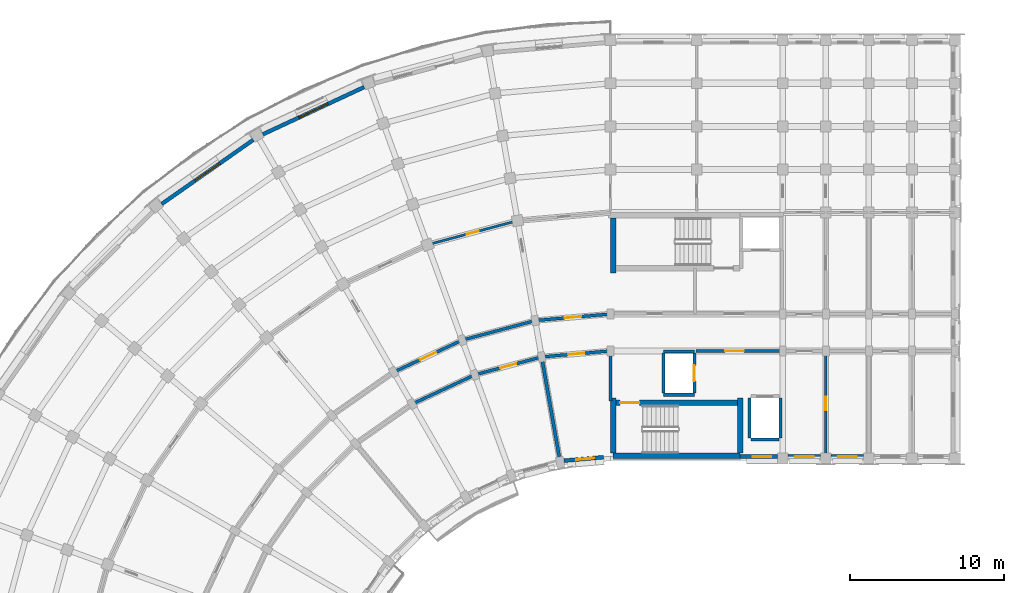
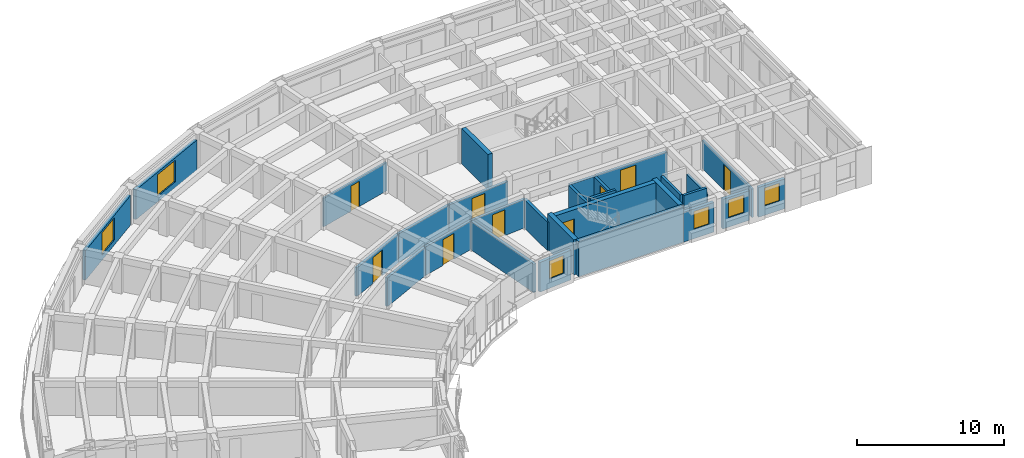
# One storey, part 26 of 54: 29 walls, 9 doors, 6 windows, 15 openings.
"""IFC4 building model written with IfcOpenShell, lengths in metres."""

from ifc_helpers import new_model, si_unit, direction, frame, frame_2d, origin, place, context, subcontext, project, spatial, rectangle, extrude, material, layer, layer_set, type_object, element, fill, save


model = new_model("IFC4")

# Units and contexts
model_context = context("Model", 3, precision=1e-05, world=origin(), true_north=direction((0.0, 1.0)))
body_context = subcontext(model_context, "Body", "Model", "MODEL_VIEW")
ifc_project = project(units=[si_unit("LENGTHUNIT", "METRE"), si_unit("AREAUNIT", "SQUARE_METRE"), si_unit("VOLUMEUNIT", "CUBIC_METRE"), si_unit("PLANEANGLEUNIT", "RADIAN"), si_unit("MASSUNIT", "GRAM", prefix="KILO")], contexts=[model_context])

# Site, building, storey
site_placement = place(None, origin())
site = spatial("IfcSite", under=ifc_project, at=site_placement, CompositionType="ELEMENT")
building_placement = place(site_placement, origin())
building = spatial("IfcBuilding", under=site, at=building_placement, Name="Kiranvali Square Residences", CompositionType="ELEMENT")
storey_placement = place(building_placement, frame((0.0, 0.0, 27.60009765625)))
storey = spatial("IfcBuildingStorey", under=building, at=storey_placement, Name="L08", CompositionType="ELEMENT", Elevation=27.60009765625)

# Wall, opening, door
ifc_material_1 = material(Name="Autoclaved aerated concrete blockwork masonry", Category="masonry")
ifc_layer_1 = layer(ifc_material_1, 0.199951171875)
ifc_layer_set_1 = layer_set([ifc_layer_1], Name="Autoclaved aerated concrete blockwork masonry")
wall_type_1 = type_object("IfcWallType", Name="WL-COR-200", PredefinedType="STANDARD", material=ifc_layer_set_1)
wall_1_placement = place(storey_placement, frame((53.75, 113.60009765625, 0.0), z_axis=(0.0, 0.0, 1.0), x_axis=(1.0, 0.0, 0.0)))
wall_1 = element("IfcWall", 1, at=wall_1_placement, inside=storey, type_object=wall_type_1, Name="L08 architectural wall WL-L08-A-LL-COR", PredefinedType="STANDARD", context=body_context, shape_type="SweptSolid", body=[
    extrude(rectangle(XDim=5.60009765625, YDim=0.199951171875, at=frame_2d((2.800048828125, 0.0))), origin(), (0.0, 0.0, 1.0), 2.371826171875),
])
opening_1_placement = place(wall_1_placement, frame((1.909912109375, 0.0, 0.0)))
opening_1 = element("IfcOpeningElement", 2, at=opening_1_placement, cuts=wall_1, Name="Opening FD-COR-60", PredefinedType="OPENING", context=body_context, shape_type="SweptSolid", body=[
    extrude(rectangle(XDim=1.219970703125, YDim=2.14990234375, at=frame_2d((0.60986328125, 1.074951171875))), frame((0.0, 0.10986328125, 0.0), z_axis=(0.0, -1.0, 0.0), x_axis=(1.0, 0.0, 0.0)), (0.0, 0.0, 1.0), 0.219970703125),
])
ifc_material_2 = material(Name="Fire-rated acoustic hardwood and mineral-core door assembly", Category="wood")
door_type_1 = type_object("IfcDoorType", Name="DR-FD60-1200", OperationType="NOTDEFINED", PredefinedType="DOOR", material=ifc_material_2)
door_1_placement = place(opening_1_placement, origin())
door_1 = element("IfcDoor", 3, at=door_1_placement, inside=storey, type_object=door_type_1, Name="L08 door DR-L08-0519 (DR-FD60-1200)", OperationType="SINGLE_SWING_LEFT", OverallHeight=2.14990234375, OverallWidth=1.219970703125, PredefinedType="DOOR", context=body_context, shape_type="SweptSolid", body=[
    extrude(rectangle(XDim=1.219970703125, YDim=2.14990234375, at=frame_2d((0.60986328125, 1.074951171875))), frame((0.0, 0.02490234375, 0.0), z_axis=(0.0, -1.0, 0.0), x_axis=(1.0, 0.0, 0.0)), (0.0, 0.0, 1.0), 0.050048828125),
])
fill(opening_1, door_1)

wall_2_placement = place(storey_placement, frame((48.199951171875, 113.60009765625, 0.0), z_axis=(0.0, 0.0, 1.0), x_axis=(-0.996191949488, -0.087187153726, 0.0)))
wall_2 = element("IfcWall", 4, at=wall_2_placement, inside=storey, type_object=wall_type_1, Name="L08 architectural wall WL-L08-A-CCI-0", PredefinedType="STANDARD", context=body_context, shape_type="SweptSolid", body=[
    extrude(rectangle(XDim=4.4970703125, YDim=0.199951171875, at=frame_2d((2.24853515625, 0.0))), origin(), (0.0, 0.0, 1.0), 2.371826171875),
])
opening_2_placement = place(wall_2_placement, frame((1.728515625, 0.0, 0.0)))
opening_2 = element("IfcOpeningElement", 5, at=opening_2_placement, cuts=wall_2, Name="Opening FD-APT-60B", PredefinedType="OPENING", context=body_context, shape_type="SweptSolid", body=[
    extrude(rectangle(XDim=1.0400390625, YDim=2.14990234375, at=frame_2d((0.52001953125, 1.074951171875))), frame((0.0, 0.10986328125, 0.0), z_axis=(0.0, -1.0, 0.0), x_axis=(1.0, 0.0, 0.0)), (0.0, 0.0, 1.0), 0.219970703125),
])
door_type_2 = type_object("IfcDoorType", Name="DR-APT-1040", OperationType="NOTDEFINED", PredefinedType="DOOR", material=ifc_material_2)
door_2_placement = place(opening_2_placement, origin())
door_2 = element("IfcDoor", 6, at=door_2_placement, inside=storey, type_object=door_type_2, Name="L08 door DR-L08-0557 (DR-APT-1040)", OperationType="SINGLE_SWING_LEFT", OverallHeight=2.14990234375, OverallWidth=1.0400390625, PredefinedType="DOOR", context=body_context, shape_type="SweptSolid", body=[
    extrude(rectangle(XDim=1.0400390625, YDim=2.14990234375, at=frame_2d((0.52001953125, 1.074951171875))), frame((0.0, 0.02490234375, 0.0), z_axis=(0.0, -1.0, 0.0), x_axis=(1.0, 0.0, 0.0)), (0.0, 0.0, 1.0), 0.050048828125),
])
fill(opening_2, door_2)

wall_3_placement = place(storey_placement, frame((48.199951171875, 116.0, 0.0), z_axis=(0.0, 0.0, 1.0), x_axis=(-0.996193663584, -0.087167566415, 0.0)))
wall_3 = element("IfcWall", 7, at=wall_3_placement, inside=storey, type_object=wall_type_1, Name="L08 architectural wall WL-L08-A-CCO-0", PredefinedType="STANDARD", context=body_context, shape_type="SweptSolid", body=[
    extrude(rectangle(XDim=4.91552734375, YDim=0.199951171875, at=frame_2d((2.457763671875, 0.0))), origin(), (0.0, 0.0, 1.0), 2.371826171875),
])
opening_3_placement = place(wall_3_placement, frame((1.917724609375, 0.0, 0.0)))
opening_3 = element("IfcOpeningElement", 8, at=opening_3_placement, cuts=wall_3, Name="Opening FD-APT-60C", PredefinedType="OPENING", context=body_context, shape_type="SweptSolid", body=[
    extrude(rectangle(XDim=1.080078125, YDim=2.14990234375, at=frame_2d((0.5400390625, 1.074951171875))), frame((0.0, 0.10986328125, 0.0), z_axis=(0.0, -1.0, 0.0), x_axis=(1.0, 0.0, 0.0)), (0.0, 0.0, 1.0), 0.219970703125),
])
door_type_3 = type_object("IfcDoorType", Name="DR-APT-1080", OperationType="NOTDEFINED", PredefinedType="DOOR", material=ifc_material_2)
door_3_placement = place(opening_3_placement, origin())
door_3 = element("IfcDoor", 9, at=door_3_placement, inside=storey, type_object=door_type_3, Name="L08 door DR-L08-0543 (DR-APT-1080)", OperationType="SINGLE_SWING_LEFT", OverallHeight=2.14990234375, OverallWidth=1.080078125, PredefinedType="DOOR", context=body_context, shape_type="SweptSolid", body=[
    extrude(rectangle(XDim=1.080078125, YDim=2.14990234375, at=frame_2d((0.5400390625, 1.074951171875))), frame((0.0, 0.02490234375, 0.0), z_axis=(0.0, -1.0, 0.0), x_axis=(1.0, 0.0, 0.0)), (0.0, 0.0, 1.0), 0.050048828125),
])
fill(opening_3, door_3)

wall_4_placement = place(storey_placement, frame((43.719970703125, 113.2080078125, 0.0), z_axis=(0.0, 0.0, 1.0), x_axis=(-0.965934240054, -0.258787642463, 0.0)))
wall_4 = element("IfcWall", 10, at=wall_4_placement, inside=storey, type_object=wall_type_1, Name="L08 architectural wall WL-L08-A-CCI-1", PredefinedType="STANDARD", context=body_context, shape_type="SweptSolid", body=[
    extrude(rectangle(XDim=4.497314453125, YDim=0.199951171875, at=frame_2d((2.24853515625, 0.0))), origin(), (0.0, 0.0, 1.0), 2.371826171875),
])
opening_4_placement = place(wall_4_placement, frame((1.708740234375, 0.0, 0.0)))
opening_4 = element("IfcOpeningElement", 11, at=opening_4_placement, cuts=wall_4, Name="Opening FD-APT-60C", PredefinedType="OPENING", context=body_context, shape_type="SweptSolid", body=[
    extrude(rectangle(XDim=1.080078125, YDim=2.14990234375, at=frame_2d((0.5400390625, 1.074951171875))), frame((0.0, 0.10986328125, 0.0), z_axis=(0.0, -1.0, 0.0), x_axis=(1.0, 0.0, 0.0)), (0.0, 0.0, 1.0), 0.219970703125),
])
door_4_placement = place(opening_4_placement, frame((1.080078125, 0.0, 0.0), z_axis=(0.0, 0.0, 1.0), x_axis=(-1.0, 0.0, 0.0)))
door_4 = element("IfcDoor", 12, at=door_4_placement, inside=storey, type_object=door_type_3, Name="L08 door DR-L08-0558 (DR-APT-1080)", OperationType="SINGLE_SWING_RIGHT", OverallHeight=2.14990234375, OverallWidth=1.080078125, PredefinedType="DOOR", context=body_context, shape_type="SweptSolid", body=[
    extrude(rectangle(XDim=1.080078125, YDim=2.14990234375, at=frame_2d((0.5400390625, 1.074951171875))), frame((0.0, 0.02490234375, 0.0), z_axis=(0.0, -1.0, 0.0), x_axis=(1.0, 0.0, 0.0)), (0.0, 0.0, 1.0), 0.050048828125),
])
fill(opening_4, door_4)

# Walls
wall_5_placement = place(storey_placement, frame((43.30322265625, 115.571533203125, 0.0), z_axis=(0.0, 0.0, 1.0), x_axis=(-0.965930095386, -0.258803112091, 0.0)))
element("IfcWall", 13, at=wall_5_placement, inside=storey, type_object=wall_type_1, Name="L08 architectural wall WL-L08-A-CCO-1", PredefinedType="STANDARD", context=body_context, shape_type="SweptSolid", body=[
    extrude(rectangle(XDim=4.915771484375, YDim=0.199951171875, at=frame_2d((2.4580078125, 0.0))), origin(), (0.0, 0.0, 1.0), 2.371826171875),
])
wall_6_placement = place(storey_placement, frame((39.3759765625, 112.044189453125, 0.0), z_axis=(0.0, 0.0, 1.0), x_axis=(-0.906307919131, -0.422617978463, 0.0)))
element("IfcWall", 14, at=wall_6_placement, inside=storey, type_object=wall_type_1, Name="L08 architectural wall WL-L08-A-CCI-2", PredefinedType="STANDARD", context=body_context, shape_type="SweptSolid", body=[
    extrude(rectangle(XDim=4.497314453125, YDim=0.199951171875, at=frame_2d((2.24853515625, 0.0))), origin(), (0.0, 0.0, 1.0), 2.371826171875),
])

# Wall, opening, door
wall_7_placement = place(storey_placement, frame((38.554931640625, 114.29931640625, 0.0), z_axis=(0.0, 0.0, 1.0), x_axis=(-0.906302381024, -0.422629854778, 0.0)))
wall_7 = element("IfcWall", 15, at=wall_7_placement, inside=storey, type_object=wall_type_1, Name="L08 architectural wall WL-L08-A-CCO-2", PredefinedType="STANDARD", context=body_context, shape_type="SweptSolid", body=[
    extrude(rectangle(XDim=4.915283203125, YDim=0.199951171875, at=frame_2d((2.45751953125, 0.0))), origin(), (0.0, 0.0, 1.0), 2.371826171875),
])
opening_5_placement = place(wall_7_placement, frame((1.8876953125, 0.0, 0.0)))
opening_5 = element("IfcOpeningElement", 16, at=opening_5_placement, cuts=wall_7, Name="Opening FD-APT-60D", PredefinedType="OPENING", context=body_context, shape_type="SweptSolid", body=[
    extrude(rectangle(XDim=1.139892578125, YDim=2.14990234375, at=frame_2d((0.56982421875, 1.074951171875))), frame((0.0, 0.10986328125, 0.0), z_axis=(0.0, -1.0, 0.0), x_axis=(1.0, 0.0, 0.0)), (0.0, 0.0, 1.0), 0.219970703125),
])
door_type_4 = type_object("IfcDoorType", Name="DR-APT-1140", OperationType="NOTDEFINED", PredefinedType="DOOR", material=ifc_material_2)
door_5_placement = place(opening_5_placement, frame((1.139892578125, 0.0, 0.0), z_axis=(0.0, 0.0, 1.0), x_axis=(-1.0, 0.0, 0.0)))
door_5 = element("IfcDoor", 17, at=door_5_placement, inside=storey, type_object=door_type_4, Name="L08 door DR-L08-0546 (DR-APT-1140)", OperationType="SINGLE_SWING_RIGHT", OverallHeight=2.14990234375, OverallWidth=1.139892578125, PredefinedType="DOOR", context=body_context, shape_type="SweptSolid", body=[
    extrude(rectangle(XDim=1.139892578125, YDim=2.14990234375, at=frame_2d((0.56982421875, 1.074951171875))), frame((0.0, 0.02490234375, 0.0), z_axis=(0.0, -1.0, 0.0), x_axis=(1.0, 0.0, 0.0)), (0.0, 0.0, 1.0), 0.050048828125),
])
fill(opening_5, door_5)

# Walls
ifc_layer_2 = layer(ifc_material_1, 0.219970703125)
ifc_layer_set_2 = layer_set([ifc_layer_2], Name="Autoclaved aerated concrete blockwork masonry")
wall_type_2 = type_object("IfcWallType", Name="WL-DEM-220", PredefinedType="STANDARD", material=ifc_layer_set_2)
wall_8_placement = place(storey_placement, frame((48.199951171875, 110.35009765625, 0.0), z_axis=(0.0, 0.0, 1.0), x_axis=(0.0, 1.0, 0.0)))
element("IfcWall", 18, at=wall_8_placement, inside=storey, type_object=wall_type_2, Name="L08 architectural wall WL-L08-A-RADI-0", PredefinedType="STANDARD", context=body_context, shape_type="SweptSolid", body=[
    extrude(rectangle(XDim=3.199951171875, YDim=0.219970703125, at=frame_2d((1.60009765625, 0.0))), origin(), (0.0, 0.0, 1.0), 2.371826171875),
])
wall_9_placement = place(storey_placement, frame((44.900634765625, 106.51123046875, 0.0), z_axis=(0.0, 0.0, 1.0), x_axis=(-0.173647089161, 0.984807944945, 0.0)))
element("IfcWall", 19, at=wall_9_placement, inside=storey, type_object=wall_type_2, Name="L08 architectural wall WL-L08-A-RADI-1", PredefinedType="STANDARD", context=body_context, shape_type="SweptSolid", body=[
    extrude(rectangle(XDim=6.75, YDim=0.219970703125, at=frame_2d((3.375, 0.0))), origin(), (0.0, 0.0, 1.0), 2.371826171875),
])

# Wall, opening, window
ifc_material_3 = material(Name="Breathable lime-rendered clay brick masonry", Category="masonry")
ifc_layer_3 = layer(ifc_material_3, 0.25)
ifc_layer_set_3 = layer_set([ifc_layer_3], Name="Breathable lime-rendered clay brick masonry")
wall_type_3 = type_object("IfcWallType", Name="WL-EXT-250", PredefinedType="STANDARD", material=ifc_layer_set_3)
wall_10_placement = place(storey_placement, frame((32.17919921875, 130.753662109375, 0.0), z_axis=(0.0, 0.0, 1.0), x_axis=(-0.90630327107, -0.422627946127, 0.0)))
wall_10 = element("IfcWall", 20, at=wall_10_placement, inside=storey, type_object=wall_type_3, Name="L08 exterior wall A-L08-CRV-02", PredefinedType="STANDARD", context=body_context, shape_type="SweptSolid", body=[
    extrude(rectangle(XDim=7.2666015625, YDim=0.25, at=frame_2d((3.63330078125, 0.0))), origin(), (0.0, 0.0, 1.0), 2.471923828125),
])
opening_6_placement = place(wall_10_placement, frame((2.583251953125, 0.0, 0.471923828125)))
opening_6 = element("IfcOpeningElement", 21, at=opening_6_placement, cuts=wall_10, Name="Opening W-03", PredefinedType="OPENING", context=body_context, shape_type="SweptSolid", body=[
    extrude(rectangle(XDim=2.10009765625, YDim=1.800048828125, at=frame_2d((1.050048828125, 0.89990234375))), frame((0.0, 0.135009765625, 0.0), z_axis=(0.0, -1.0, 0.0), x_axis=(1.0, 0.0, 0.0)), (0.0, 0.0, 1.0), 0.27001953125),
])
ifc_material_4 = material(Name="Solar-control low-e double glazing", Category="glass")
window_type_1 = type_object("IfcWindowType", Name="WIN-RES-2100x1800", PartitioningType="TRIPLE_PANEL_VERTICAL", PredefinedType="WINDOW", material=ifc_material_4)
window_1_placement = place(opening_6_placement, origin())
window_1 = element("IfcWindow", 22, at=window_1_placement, inside=storey, type_object=window_type_1, Name="L08 recessed window A-L08-CRV-02", OverallHeight=1.800048828125, OverallWidth=2.10009765625, PartitioningType="TRIPLE_PANEL_VERTICAL", PredefinedType="WINDOW", context=body_context, shape_type="SweptSolid", body=[
    extrude(rectangle(XDim=2.10009765625, YDim=1.800048828125, at=frame_2d((1.050048828125, 0.89990234375))), frame((0.0, 0.030029296875, 0.0), z_axis=(0.0, -1.0, 0.0), x_axis=(1.0, 0.0, 0.0)), (0.0, 0.0, 1.0), 0.06005859375),
])
fill(opening_6, window_1)

wall_11_placement = place(storey_placement, frame((24.9638671875, 127.319091796875, 0.0), z_axis=(0.0, 0.0, 1.0), x_axis=(-0.819159308599, -0.573566061701, 0.0)))
wall_11 = element("IfcWall", 23, at=wall_11_placement, inside=storey, type_object=wall_type_3, Name="L08 exterior wall A-L08-CRV-03", PredefinedType="STANDARD", context=body_context, shape_type="SweptSolid", body=[
    extrude(rectangle(XDim=7.266845703125, YDim=0.25, at=frame_2d((3.63330078125, 0.0))), origin(), (0.0, 0.0, 1.0), 2.471923828125),
])
opening_7_placement = place(wall_11_placement, frame((2.658203125, 0.0, 0.422119140625)))
opening_7 = element("IfcOpeningElement", 24, at=opening_7_placement, cuts=wall_11, Name="Opening W-12", PredefinedType="OPENING", context=body_context, shape_type="SweptSolid", body=[
    extrude(rectangle(XDim=1.949951171875, YDim=1.85009765625, at=frame_2d((0.97509765625, 0.925048828125))), frame((0.0, 0.135009765625, 0.0), z_axis=(0.0, -1.0, 0.0), x_axis=(1.0, 0.0, 0.0)), (0.0, 0.0, 1.0), 0.27001953125),
])
window_type_2 = type_object("IfcWindowType", Name="WIN-RES-1950x1850", PartitioningType="DOUBLE_PANEL_VERTICAL", PredefinedType="WINDOW", material=ifc_material_4)
window_2_placement = place(opening_7_placement, origin())
window_2 = element("IfcWindow", 25, at=window_2_placement, inside=storey, type_object=window_type_2, Name="L08 recessed window A-L08-CRV-03", OverallHeight=1.85009765625, OverallWidth=1.949951171875, PartitioningType="DOUBLE_PANEL_VERTICAL", PredefinedType="WINDOW", context=body_context, shape_type="SweptSolid", body=[
    extrude(rectangle(XDim=1.949951171875, YDim=1.85009765625, at=frame_2d((0.97509765625, 0.925048828125))), frame((0.0, 0.030029296875, 0.0), z_axis=(0.0, -1.0, 0.0), x_axis=(1.0, 0.0, 0.0)), (0.0, 0.0, 1.0), 0.06005859375),
])
fill(opening_7, window_2)

wall_12_placement = place(storey_placement, frame((47.750732421875, 106.686279296875, 0.0), z_axis=(0.0, 0.0, 1.0), x_axis=(-0.996188278786, -0.087229084652, 0.0)))
wall_12 = element("IfcWall", 26, at=wall_12_placement, inside=storey, type_object=wall_type_3, Name="L08 exterior wall A-L08-GDN-00", PredefinedType="STANDARD", context=body_context, shape_type="SweptSolid", body=[
    extrude(rectangle(XDim=2.583251953125, YDim=0.25, at=frame_2d((1.29150390625, 0.0))), origin(), (0.0, 0.0, 1.0), 2.471923828125),
])
opening_8_placement = place(wall_12_placement, frame((0.5986328125, 0.0, 0.77197265625)))
opening_8 = element("IfcOpeningElement", 27, at=opening_8_placement, cuts=wall_12, Name="Opening W-06", PredefinedType="OPENING", context=body_context, shape_type="SweptSolid", body=[
    extrude(rectangle(XDim=1.199951171875, YDim=1.5, at=frame_2d((0.60009765625, 0.75))), frame((0.0, 0.135009765625, 0.0), z_axis=(0.0, -1.0, 0.0), x_axis=(1.0, 0.0, 0.0)), (0.0, 0.0, 1.0), 0.27001953125),
])
window_type_3 = type_object("IfcWindowType", Name="WIN-RES-1200x1500", PartitioningType="SINGLE_PANEL", PredefinedType="WINDOW", material=ifc_material_4)
window_3_placement = place(opening_8_placement, origin())
window_3 = element("IfcWindow", 28, at=window_3_placement, inside=storey, type_object=window_type_3, Name="L08 recessed window A-L08-GDN-00", OverallHeight=1.5, OverallWidth=1.199951171875, PartitioningType="SINGLE_PANEL", PredefinedType="WINDOW", context=body_context, shape_type="SweptSolid", body=[
    extrude(rectangle(XDim=1.199951171875, YDim=1.5, at=frame_2d((0.60009765625, 0.75))), frame((0.0, 0.030029296875, 0.0), z_axis=(0.0, -1.0, 0.0), x_axis=(1.0, 0.0, 0.0)), (0.0, 0.0, 1.0), 0.06005859375),
])
fill(opening_8, window_3)

wall_13_placement = place(storey_placement, frame((56.62841796875, 106.72509765625, 0.0), z_axis=(0.0, 0.0, 1.0), x_axis=(1.0, 0.0, 0.0)))
wall_13 = element("IfcWall", 29, at=wall_13_placement, inside=storey, type_object=wall_type_3, Name="L08 exterior wall A-L08-A1IN-0", PredefinedType="STANDARD", context=body_context, shape_type="SweptSolid", body=[
    extrude(rectangle(XDim=2.421630859375, YDim=0.25, at=frame_2d((1.2109375, 0.0))), origin(), (0.0, 0.0, 1.0), 2.471923828125),
])
opening_9_placement = place(wall_13_placement, frame((0.821533203125, 0.0, 0.77197265625)))
opening_9 = element("IfcOpeningElement", 30, at=opening_9_placement, cuts=wall_13, Name="Opening W-06", PredefinedType="OPENING", context=body_context, shape_type="SweptSolid", body=[
    extrude(rectangle(XDim=1.199951171875, YDim=1.5, at=frame_2d((0.60009765625, 0.75))), frame((0.0, 0.135009765625, 0.0), z_axis=(0.0, -1.0, 0.0), x_axis=(1.0, 0.0, 0.0)), (0.0, 0.0, 1.0), 0.27001953125),
])
window_4_placement = place(opening_9_placement, origin())
window_4 = element("IfcWindow", 31, at=window_4_placement, inside=storey, type_object=window_type_3, Name="L08 recessed window A-L08-A1IN-0", OverallHeight=1.5, OverallWidth=1.199951171875, PartitioningType="SINGLE_PANEL", PredefinedType="WINDOW", context=body_context, shape_type="SweptSolid", body=[
    extrude(rectangle(XDim=1.199951171875, YDim=1.5, at=frame_2d((0.60009765625, 0.75))), frame((0.0, 0.030029296875, 0.0), z_axis=(0.0, -1.0, 0.0), x_axis=(1.0, 0.0, 0.0)), (0.0, 0.0, 1.0), 0.06005859375),
])
fill(opening_9, window_4)

wall_14_placement = place(storey_placement, frame((59.75341796875, 106.72509765625, 0.0), z_axis=(0.0, 0.0, 1.0), x_axis=(1.0, 0.0, 0.0)))
wall_14 = element("IfcWall", 32, at=wall_14_placement, inside=storey, type_object=wall_type_3, Name="L08 exterior wall A-L08-A1I-0", PredefinedType="STANDARD", context=body_context, shape_type="SweptSolid", body=[
    extrude(rectangle(XDim=2.093017578125, YDim=0.25, at=frame_2d((1.04638671875, 0.0))), origin(), (0.0, 0.0, 1.0), 2.471923828125),
])
opening_10_placement = place(wall_14_placement, frame((0.446533203125, 0.0, 0.77197265625)))
opening_10 = element("IfcOpeningElement", 33, at=opening_10_placement, cuts=wall_14, Name="Opening W-06", PredefinedType="OPENING", context=body_context, shape_type="SweptSolid", body=[
    extrude(rectangle(XDim=1.199951171875, YDim=1.5, at=frame_2d((0.60009765625, 0.75))), frame((0.0, 0.135009765625, 0.0), z_axis=(0.0, -1.0, 0.0), x_axis=(1.0, 0.0, 0.0)), (0.0, 0.0, 1.0), 0.27001953125),
])
window_5_placement = place(opening_10_placement, origin())
window_5 = element("IfcWindow", 34, at=window_5_placement, inside=storey, type_object=window_type_3, Name="L08 recessed window A-L08-A1I-0", OverallHeight=1.5, OverallWidth=1.199951171875, PartitioningType="SINGLE_PANEL", PredefinedType="WINDOW", context=body_context, shape_type="SweptSolid", body=[
    extrude(rectangle(XDim=1.199951171875, YDim=1.5, at=frame_2d((0.60009765625, 0.75))), frame((0.0, 0.030029296875, 0.0), z_axis=(0.0, -1.0, 0.0), x_axis=(1.0, 0.0, 0.0)), (0.0, 0.0, 1.0), 0.06005859375),
])
fill(opening_10, window_5)

wall_15_placement = place(storey_placement, frame((62.553466796875, 106.72509765625, 0.0), z_axis=(0.0, 0.0, 1.0), x_axis=(1.0, 0.0, 0.0)))
wall_15 = element("IfcWall", 35, at=wall_15_placement, inside=storey, type_object=wall_type_3, Name="L08 exterior wall A-L08-A1I-1", PredefinedType="STANDARD", context=body_context, shape_type="SweptSolid", body=[
    extrude(rectangle(XDim=2.093017578125, YDim=0.25, at=frame_2d((1.04638671875, 0.0))), origin(), (0.0, 0.0, 1.0), 2.471923828125),
])
opening_11_placement = place(wall_15_placement, frame((0.446533203125, 0.0, 0.77197265625)))
opening_11 = element("IfcOpeningElement", 36, at=opening_11_placement, cuts=wall_15, Name="Opening W-06", PredefinedType="OPENING", context=body_context, shape_type="SweptSolid", body=[
    extrude(rectangle(XDim=1.199951171875, YDim=1.5, at=frame_2d((0.60009765625, 0.75))), frame((0.0, 0.135009765625, 0.0), z_axis=(0.0, -1.0, 0.0), x_axis=(1.0, 0.0, 0.0)), (0.0, 0.0, 1.0), 0.27001953125),
])
window_6_placement = place(opening_11_placement, origin())
window_6 = element("IfcWindow", 37, at=window_6_placement, inside=storey, type_object=window_type_3, Name="L08 recessed window A-L08-A1I-1", OverallHeight=1.5, OverallWidth=1.199951171875, PartitioningType="SINGLE_PANEL", PredefinedType="WINDOW", context=body_context, shape_type="SweptSolid", body=[
    extrude(rectangle(XDim=1.199951171875, YDim=1.5, at=frame_2d((0.60009765625, 0.75))), frame((0.0, 0.030029296875, 0.0), z_axis=(0.0, -1.0, 0.0), x_axis=(1.0, 0.0, 0.0)), (0.0, 0.0, 1.0), 0.06005859375),
])
fill(opening_11, window_6)

# Wall, opening, door
ifc_material_5 = material(Name="Acoustic gypsum board drylined partition", Category="gypsum")
ifc_layer_4 = layer(ifc_material_5, 0.14990234375)
ifc_layer_set_4 = layer_set([ifc_layer_4], Name="Acoustic gypsum board drylined partition")
wall_type_4 = type_object("IfcWallType", Name="WL-PRT-150", PredefinedType="PARTITIONING", material=ifc_layer_set_4)
wall_16_placement = place(storey_placement, frame((62.199951171875, 106.800048828125, 0.0), z_axis=(0.0, 0.0, 1.0), x_axis=(0.0, 1.0, 0.0)))
wall_16 = element("IfcWall", 38, at=wall_16_placement, inside=storey, type_object=wall_type_4, Name="L08 architectural wall WL-L08-A-A1TI-1", PredefinedType="PARTITIONING", context=body_context, shape_type="SweptSolid", body=[
    extrude(rectangle(XDim=6.75, YDim=0.14990234375, at=frame_2d((3.375, 0.0))), origin(), (0.0, 0.0, 1.0), 2.371826171875),
])
opening_12_placement = place(wall_16_placement, frame((2.925048828125, 0.0, 0.0)))
opening_12 = element("IfcOpeningElement", 39, at=opening_12_placement, cuts=wall_16, Name="Opening ID-1", PredefinedType="OPENING", context=body_context, shape_type="SweptSolid", body=[
    extrude(rectangle(XDim=0.89990234375, YDim=2.10009765625, at=frame_2d((0.449951171875, 1.050048828125))), frame((0.0, 0.0849609375, 0.0), z_axis=(0.0, -1.0, 0.0), x_axis=(1.0, 0.0, 0.0)), (0.0, 0.0, 1.0), 0.169921875),
])
ifc_material_6 = material(Name="Solid seasoned teak hardwood joinery", Category="wood")
door_type_5 = type_object("IfcDoorType", Name="DR-INT-900", OperationType="NOTDEFINED", PredefinedType="DOOR", material=ifc_material_6)
door_6_placement = place(opening_12_placement, frame((0.89990234375, 0.0, 0.0), z_axis=(0.0, 0.0, 1.0), x_axis=(-1.0, 0.0, 0.0)))
door_6 = element("IfcDoor", 40, at=door_6_placement, inside=storey, type_object=door_type_5, Name="L08 door DR-L08-0532 (DR-INT-900)", OperationType="SINGLE_SWING_RIGHT", OverallHeight=2.10009765625, OverallWidth=0.89990234375, PredefinedType="DOOR", context=body_context, shape_type="SweptSolid", body=[
    extrude(rectangle(XDim=0.89990234375, YDim=2.10009765625, at=frame_2d((0.449951171875, 1.050048828125))), frame((0.0, 0.02490234375, 0.0), z_axis=(0.0, -1.0, 0.0), x_axis=(1.0, 0.0, 0.0)), (0.0, 0.0, 1.0), 0.050048828125),
])
fill(opening_12, door_6)

# Walls
ifc_layer_5 = layer(ifc_material_1, 0.199951171875)
ifc_layer_set_5 = layer_set([ifc_layer_5], Name="Autoclaved aerated concrete blockwork masonry")
wall_type_5 = type_object("IfcWallType", Name="WL-SHF-200", PredefinedType="STANDARD", material=ifc_layer_set_5)
wall_17_placement = place(storey_placement, frame((57.25, 107.949951171875, 0.0), z_axis=(0.0, 0.0, 1.0), x_axis=(0.0, 1.0, 0.0)))
element("IfcWall", 41, at=wall_17_placement, inside=storey, type_object=wall_type_5, Name="L08 architectural wall WL-L08-A-LP1-S1", PredefinedType="STANDARD", context=body_context, shape_type="SweptSolid", body=[
    extrude(rectangle(XDim=2.60009765625, YDim=0.199951171875, at=frame_2d((1.300048828125, 0.0))), origin(), (0.0, 0.0, 1.0), 2.929931640625),
])
wall_18_placement = place(storey_placement, frame((59.25, 107.949951171875, 0.0), z_axis=(0.0, 0.0, 1.0), x_axis=(0.0, 1.0, 0.0)))
element("IfcWall", 42, at=wall_18_placement, inside=storey, type_object=wall_type_5, Name="L08 architectural wall WL-L08-A-LP1-B", PredefinedType="STANDARD", context=body_context, shape_type="SweptSolid", body=[
    extrude(rectangle(XDim=2.60009765625, YDim=0.199951171875, at=frame_2d((1.300048828125, 0.0))), origin(), (0.0, 0.0, 1.0), 2.371826171875),
])
wall_19_placement = place(storey_placement, frame((57.35009765625, 107.85009765625, 0.0), z_axis=(0.0, 0.0, 1.0), x_axis=(1.0, 0.0, 0.0)))
element("IfcWall", 43, at=wall_19_placement, inside=storey, type_object=wall_type_5, Name="L08 architectural wall WL-L08-A-LP1-S2", PredefinedType="STANDARD", context=body_context, shape_type="SweptSolid", body=[
    extrude(rectangle(XDim=1.7998046875, YDim=0.199951171875, at=frame_2d((0.89990234375, 0.0))), origin(), (0.0, 0.0, 1.0), 2.929931640625),
])
wall_20_placement = place(storey_placement, frame((51.64990234375, 110.75, 0.0), z_axis=(0.0, 0.0, 1.0), x_axis=(1.0, 0.0, 0.0)))
element("IfcWall", 44, at=wall_20_placement, inside=storey, type_object=wall_type_5, Name="L08 architectural wall WL-L08-A-LP2-S0", PredefinedType="STANDARD", context=body_context, shape_type="SweptSolid", body=[
    extrude(rectangle(XDim=2.0, YDim=0.199951171875, at=frame_2d((1.0, 0.0))), origin(), (0.0, 0.0, 1.0), 2.929931640625),
])
wall_21_placement = place(storey_placement, frame((51.64990234375, 113.550048828125, 0.0), z_axis=(0.0, 0.0, 1.0), x_axis=(1.0, 0.0, 0.0)))
element("IfcWall", 45, at=wall_21_placement, inside=storey, type_object=wall_type_5, Name="L08 architectural wall WL-L08-A-LP2-B", PredefinedType="STANDARD", context=body_context, shape_type="SweptSolid", body=[
    extrude(rectangle(XDim=2.0, YDim=0.199951171875, at=frame_2d((1.0, 0.0))), origin(), (0.0, 0.0, 1.0), 2.371826171875),
])
wall_22_placement = place(storey_placement, frame((51.64990234375, 110.85009765625, 0.0), z_axis=(0.0, 0.0, 1.0), x_axis=(0.0, 1.0, 0.0)))
element("IfcWall", 46, at=wall_22_placement, inside=storey, type_object=wall_type_5, Name="L08 architectural wall WL-L08-A-LP2-S1", PredefinedType="STANDARD", context=body_context, shape_type="SweptSolid", body=[
    extrude(rectangle(XDim=2.599853515625, YDim=0.199951171875, at=frame_2d((1.2998046875, 0.0))), origin(), (0.0, 0.0, 1.0), 2.371826171875),
])

# Wall, opening, door
wall_23_placement = place(storey_placement, frame((53.64990234375, 110.85009765625, 0.0), z_axis=(0.0, 0.0, 1.0), x_axis=(0.0, 1.0, 0.0)))
wall_23 = element("IfcWall", 47, at=wall_23_placement, inside=storey, type_object=wall_type_5, Name="L08 architectural wall WL-L08-A-LP2-F", PredefinedType="STANDARD", context=body_context, shape_type="SweptSolid", body=[
    extrude(rectangle(XDim=2.599853515625, YDim=0.199951171875, at=frame_2d((1.2998046875, 0.0))), origin(), (0.0, 0.0, 1.0), 2.371826171875),
])
opening_13_placement = place(wall_23_placement, frame((0.7900390625, 0.0, 0.0)))
opening_13 = element("IfcOpeningElement", 48, at=opening_13_placement, cuts=wall_23, Name="Opening LD-PAX-100", PredefinedType="OPENING", context=body_context, shape_type="SweptSolid", body=[
    extrude(rectangle(XDim=1.02001953125, YDim=2.14990234375, at=frame_2d((0.510009765625, 1.074951171875))), frame((0.0, 0.10986328125, 0.0), z_axis=(0.0, -1.0, 0.0), x_axis=(1.0, 0.0, 0.0)), (0.0, 0.0, 1.0), 0.219970703125),
])
door_type_6 = type_object("IfcDoorType", Name="DR-LIFT-1000", OperationType="SLIDING_TO_RIGHT", PredefinedType="DOOR", material=ifc_material_2)
door_7_placement = place(opening_13_placement, origin())
door_7 = element("IfcDoor", 49, at=door_7_placement, inside=storey, type_object=door_type_6, Name="L08 door DR-L08-0518 (DR-LIFT-1000)", OperationType="SLIDING_TO_RIGHT", OverallHeight=2.14990234375, OverallWidth=1.02001953125, PredefinedType="DOOR", context=body_context, shape_type="SweptSolid", body=[
    extrude(rectangle(XDim=1.02001953125, YDim=2.14990234375, at=frame_2d((0.510009765625, 1.074951171875))), frame((0.0, 0.02490234375, 0.0), z_axis=(0.0, -1.0, 0.0), x_axis=(1.0, 0.0, 0.0)), (0.0, 0.0, 1.0), 0.050048828125),
])
fill(opening_13, door_7)

# Walls
ifc_material_7 = material(Name="Concrete M45 (45 MPa)", Category="concrete")
ifc_layer_6 = layer(ifc_material_7, 0.320068359375)
ifc_layer_set_6 = layer_set([ifc_layer_6], Name="Concrete M45 (45 MPa)")
wall_type_6 = type_object("IfcWallType", Name="WL-SHR-320", PredefinedType="SHEAR", material=ifc_layer_set_6)
wall_24_placement = place(storey_placement, frame((48.375, 118.64990234375, 0.0), z_axis=(0.0, 0.0, 1.0), x_axis=(0.0, 1.0, 0.0)))
element("IfcWall", 50, at=wall_24_placement, inside=storey, type_object=wall_type_6, Name="Block A core shear wall SW-A1-FAR-L08", PredefinedType="SHEAR", context=body_context, shape_type="SweptSolid", body=[
    extrude(rectangle(XDim=3.60009765625, YDim=0.35009765625, at=frame_2d((1.800048828125, 0.0))), origin(), (0.0, 0.0, 1.0), 2.929931640625),
])
wall_25_placement = place(storey_placement, frame((48.375, 106.77490234375, 0.0), z_axis=(0.0, 0.0, 1.0), x_axis=(1.0, 0.0, 0.0)))
element("IfcWall", 51, at=wall_25_placement, inside=storey, type_object=wall_type_6, Name="Block A core shear wall SW-A2-OUT-L08", PredefinedType="SHEAR", context=body_context, shape_type="SweptSolid", body=[
    extrude(rectangle(XDim=8.25, YDim=0.35009765625, at=frame_2d((4.125, 0.0))), origin(), (0.0, 0.0, 1.0), 2.929931640625),
])

# Wall, opening, door
wall_26_placement = place(storey_placement, frame((48.550048828125, 110.22509765625, 0.0), z_axis=(0.0, 0.0, 1.0), x_axis=(1.0, 0.0, 0.0)))
wall_26 = element("IfcWall", 52, at=wall_26_placement, inside=storey, type_object=wall_type_6, Name="Block A core shear wall SW-A2-IN-L08", PredefinedType="SHEAR", context=body_context, shape_type="SweptSolid", body=[
    extrude(rectangle(XDim=7.89990234375, YDim=0.35009765625, at=frame_2d((3.949951171875, 0.0))), origin(), (0.0, 0.0, 1.0), 2.929931640625),
])
opening_14_placement = place(wall_26_placement, frame((0.280029296875, 0.0, 0.0)))
opening_14 = element("IfcOpeningElement", 53, at=opening_14_placement, cuts=wall_26, Name="Opening FD-ST-120", PredefinedType="OPENING", context=body_context, shape_type="SweptSolid", body=[
    extrude(rectangle(XDim=1.239990234375, YDim=2.14990234375, at=frame_2d((0.6201171875, 1.074951171875))), frame((0.0, 0.18505859375, 0.0), z_axis=(0.0, -1.0, 0.0), x_axis=(1.0, 0.0, 0.0)), (0.0, 0.0, 1.0), 0.3701171875),
])
door_type_7 = type_object("IfcDoorType", Name="DR-FD120-1200", OperationType="NOTDEFINED", PredefinedType="DOOR", material=ifc_material_2)
door_8_placement = place(opening_14_placement, frame((1.239990234375, 0.0, 0.0), z_axis=(0.0, 0.0, 1.0), x_axis=(-1.0, 0.0, 0.0)))
door_8 = element("IfcDoor", 54, at=door_8_placement, inside=storey, type_object=door_type_7, Name="L08 door DR-L08-0515 (DR-FD120-1200)", OperationType="SINGLE_SWING_LEFT", OverallHeight=2.14990234375, OverallWidth=1.239990234375, PredefinedType="DOOR", context=body_context, shape_type="SweptSolid", body=[
    extrude(rectangle(XDim=1.239990234375, YDim=2.14990234375, at=frame_2d((0.6201171875, 1.074951171875))), frame((0.0, 0.02490234375, 0.0), z_axis=(0.0, -1.0, 0.0), x_axis=(1.0, 0.0, 0.0)), (0.0, 0.0, 1.0), 0.050048828125),
])
fill(opening_14, door_8)

# Walls
for number, where, z_axis, x_axis, name in (
    (55, (48.375, 106.949951171875, 0.0), (0.0, 0.0, 1.0), (0.0, 1.0, 0.0), "Block A core shear wall SW-A2-NEAR-L08"),
    (56, (56.625, 106.949951171875, 0.0), (0.0, 0.0, 1.0), (0.0, 1.0, 0.0), "Block A core shear wall SW-A2-FAR-L08"),
):
    element("IfcWall", number, at=place(storey_placement, frame(where, z_axis=z_axis, x_axis=x_axis)), inside=storey, type_object=wall_type_6, Name=name, PredefinedType="SHEAR", context=body_context, shape_type="SweptSolid", body=[
        extrude(rectangle(XDim=3.60009765625, YDim=0.35009765625, at=frame_2d((1.800048828125, 0.0))), origin(), (0.0, 0.0, 1.0), 2.929931640625),
    ])

# Wall, opening, door
ifc_layer_7 = layer(ifc_material_1, 0.14990234375)
ifc_layer_set_7 = layer_set([ifc_layer_7], Name="Autoclaved aerated concrete blockwork masonry")
wall_type_7 = type_object("IfcWallType", Name="WL-WET-150", PredefinedType="PLUMBINGWALL", material=ifc_layer_set_7)
wall_27_placement = place(storey_placement, frame((42.156982421875, 122.0712890625, 0.0), z_axis=(0.0, 0.0, 1.0), x_axis=(-0.965923618901, -0.258827283048, 0.0)))
wall_27 = element("IfcWall", 57, at=wall_27_placement, inside=storey, type_object=wall_type_7, Name="L08 architectural wall WL-L08-A-CWET-1", PredefinedType="PLUMBINGWALL", context=body_context, shape_type="SweptSolid", body=[
    extrude(rectangle(XDim=6.066162109375, YDim=0.14990234375, at=frame_2d((3.033203125, 0.0))), origin(), (0.0, 0.0, 1.0), 2.371826171875),
])
opening_15_placement = place(wall_27_placement, frame((2.633056640625, 0.0, 0.0)))
opening_15 = element("IfcOpeningElement", 58, at=opening_15_placement, cuts=wall_27, Name="Opening ID-WET", PredefinedType="OPENING", context=body_context, shape_type="SweptSolid", body=[
    extrude(rectangle(XDim=0.800048828125, YDim=2.10009765625, at=frame_2d((0.39990234375, 1.050048828125))), frame((0.0, 0.0849609375, 0.0), z_axis=(0.0, -1.0, 0.0), x_axis=(1.0, 0.0, 0.0)), (0.0, 0.0, 1.0), 0.169921875),
])
door_type_8 = type_object("IfcDoorType", Name="DR-WET-800", OperationType="NOTDEFINED", PredefinedType="DOOR", material=ifc_material_6)
door_9_placement = place(opening_15_placement, origin())
door_9 = element("IfcDoor", 59, at=door_9_placement, inside=storey, type_object=door_type_8, Name="L08 door DR-L08-0545 (DR-WET-800)", OperationType="SINGLE_SWING_LEFT", OverallHeight=2.10009765625, OverallWidth=0.800048828125, PredefinedType="DOOR", context=body_context, shape_type="SweptSolid", body=[
    extrude(rectangle(XDim=0.800048828125, YDim=2.10009765625, at=frame_2d((0.39990234375, 1.050048828125))), frame((0.0, 0.02490234375, 0.0), z_axis=(0.0, -1.0, 0.0), x_axis=(1.0, 0.0, 0.0)), (0.0, 0.0, 1.0), 0.050048828125),
])
fill(opening_15, door_9)

save(model, "model.ifc")
